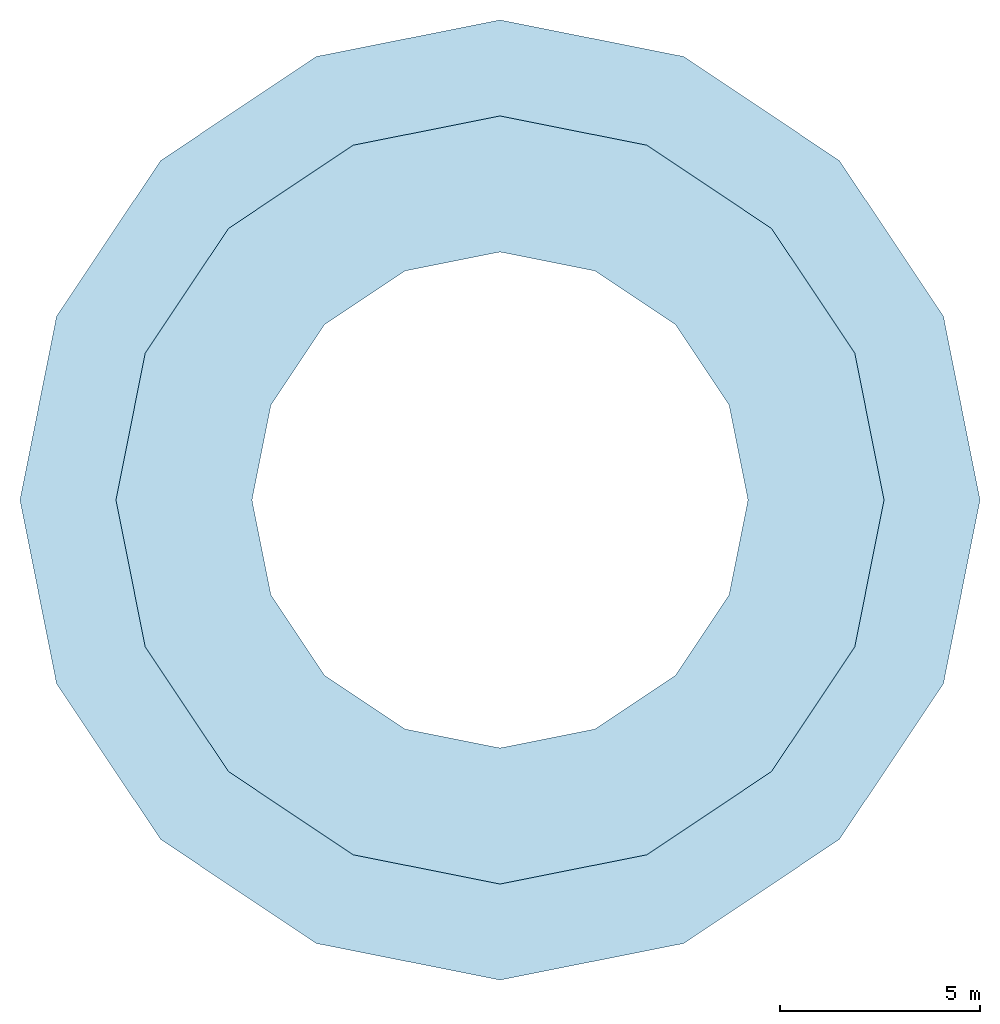
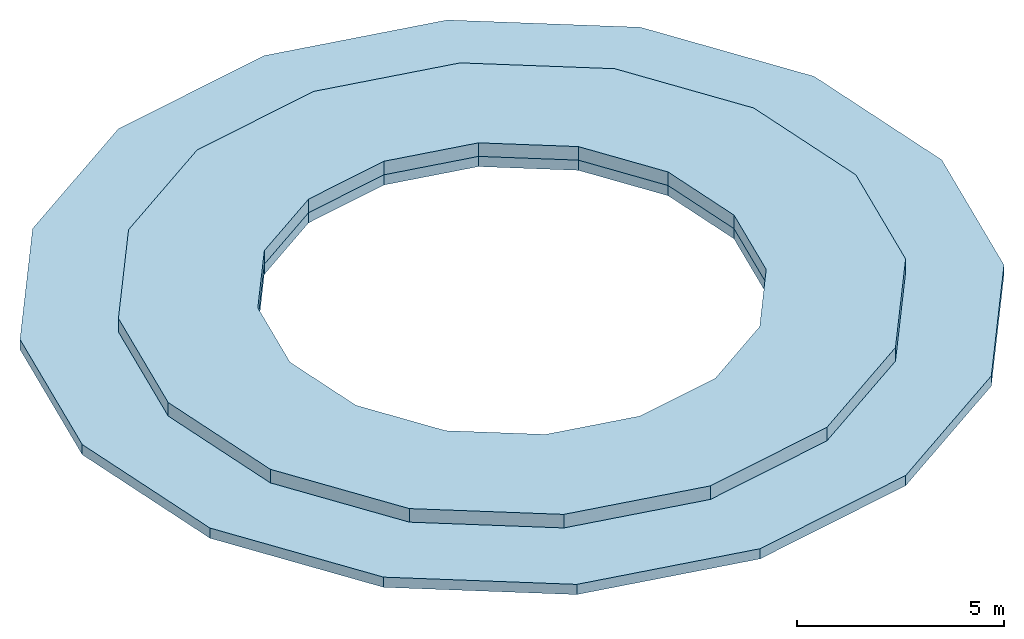
# One storey: 2 roofs.
"""IFC4 building model written with IfcOpenShell, lengths in metres."""

from ifc_helpers import new_model, si_unit, direction, frame, origin, place, context, subcontext, project, spatial, polyline, outline, extrude, material, layer, layer_set, type_object, element, save


model = new_model("IFC4")

# Units and contexts
model_context = context("Model", 3, precision=1e-05, world=origin(), true_north=direction((0.0, 1.0)))
body_context = subcontext(model_context, "Body", "Model", "MODEL_VIEW")
ifc_project = project(units=[si_unit("LENGTHUNIT", "METRE"), si_unit("AREAUNIT", "SQUARE_METRE"), si_unit("VOLUMEUNIT", "CUBIC_METRE"), si_unit("PLANEANGLEUNIT", "RADIAN"), si_unit("MASSUNIT", "GRAM", prefix="KILO")], contexts=[model_context])

# Site, building, storey
site_placement = place(None, origin())
site = spatial("IfcSite", under=ifc_project, at=site_placement, CompositionType="ELEMENT")
building_placement = place(site_placement, origin())
building = spatial("IfcBuilding", under=site, at=building_placement, Name="Tamarind Cross Interchange Tower", CompositionType="ELEMENT")
storey_placement = place(building_placement, frame((0.0, 0.0, 333.89990234375)))
storey = spatial("IfcBuildingStorey", under=building, at=storey_placement, Name="Lantern Roof", CompositionType="ELEMENT", Elevation=333.89990234375)

# Roofs
ifc_material = material(Name="Aluminium standing-seam roofing", Category="aluminium")
ifc_layer_1 = layer(ifc_material, 0.300048828125)
ifc_layer_set_1 = layer_set([ifc_layer_1], Name="Aluminium standing-seam roofing")
roof_type_1 = type_object("IfcRoofType", Name="Crown cap roof", PredefinedType="USERDEFINED", material=ifc_layer_set_1)
roof_1_placement = place(storey_placement, origin())
element("IfcRoof", 1, at=roof_1_placement, inside=storey, type_object=roof_type_1, Name="LNT-L80-RF1", ObjectType="Crown cap roof", PredefinedType="USERDEFINED", context=body_context, shape_type="SweptSolid", body=[
    extrude(outline(polyline([(12.0, 0.0), (11.086669921875, 4.59228515625), (8.4853515625, 8.4853515625), (4.59228515625, 11.086669921875), (0.0, 12.0), (-4.59228515625, 11.086669921875), (-8.4853515625, 8.4853515625), (-11.086669921875, 4.59228515625), (-12.0, 0.0), (-11.086669921875, -4.59228515625), (-8.4853515625, -8.4853515625), (-4.59228515625, -11.086669921875), (0.0, -12.0), (4.59228515625, -11.086669921875), (8.4853515625, -8.4853515625), (11.086669921875, -4.59228515625), (12.0, 0.0)]), holes=[polyline([(6.199951171875, 0.0), (5.72802734375, 2.37255859375), (4.384033203125, 4.384033203125), (2.37255859375, 5.72802734375), (0.0, 6.199951171875), (-2.37255859375, 5.72802734375), (-4.384033203125, 4.384033203125), (-5.72802734375, 2.37255859375), (-6.199951171875, 0.0), (-5.72802734375, -2.37255859375), (-4.384033203125, -4.384033203125), (-2.37255859375, -5.72802734375), (0.0, -6.199951171875), (2.37255859375, -5.72802734375), (4.384033203125, -4.384033203125), (5.72802734375, -2.37255859375), (6.199951171875, 0.0)])]), origin(), (0.0, 0.0, 1.0), 0.300048828125),
])
ifc_layer_2 = layer(ifc_material, 0.39990234375)
ifc_layer_set_2 = layer_set([ifc_layer_2], Name="Aluminium standing-seam roofing")
roof_type_2 = type_object("IfcRoofType", Name="Crown cap roof upper disc", PredefinedType="USERDEFINED", material=ifc_layer_set_2)
roof_2_placement = place(storey_placement, frame((0.0, 0.0, 0.300048828125)))
element("IfcRoof", 2, at=roof_2_placement, inside=storey, type_object=roof_type_2, Name="LNT-L80-RF2", ObjectType="Crown cap roof", PredefinedType="USERDEFINED", context=body_context, shape_type="SweptSolid", body=[
    extrude(outline(polyline([(9.60009765625, 0.0), (8.869140625, 3.673828125), (6.7880859375, 6.7880859375), (3.673828125, 8.869140625), (0.0, 9.60009765625), (-3.673828125, 8.869140625), (-6.7880859375, 6.7880859375), (-8.869140625, 3.673828125), (-9.60009765625, 0.0), (-8.869140625, -3.673828125), (-6.7880859375, -6.7880859375), (-3.673828125, -8.869140625), (0.0, -9.60009765625), (3.673828125, -8.869140625), (6.7880859375, -6.7880859375), (8.869140625, -3.673828125), (9.60009765625, 0.0)]), holes=[polyline([(6.199951171875, 0.0), (5.72802734375, 2.37255859375), (4.384033203125, 4.384033203125), (2.37255859375, 5.72802734375), (0.0, 6.199951171875), (-2.37255859375, 5.72802734375), (-4.384033203125, 4.384033203125), (-5.72802734375, 2.37255859375), (-6.199951171875, 0.0), (-5.72802734375, -2.37255859375), (-4.384033203125, -4.384033203125), (-2.37255859375, -5.72802734375), (0.0, -6.199951171875), (2.37255859375, -5.72802734375), (4.384033203125, -4.384033203125), (5.72802734375, -2.37255859375), (6.199951171875, 0.0)])]), origin(), (0.0, 0.0, 1.0), 0.400146484375),
])

save(model, "model.ifc")
